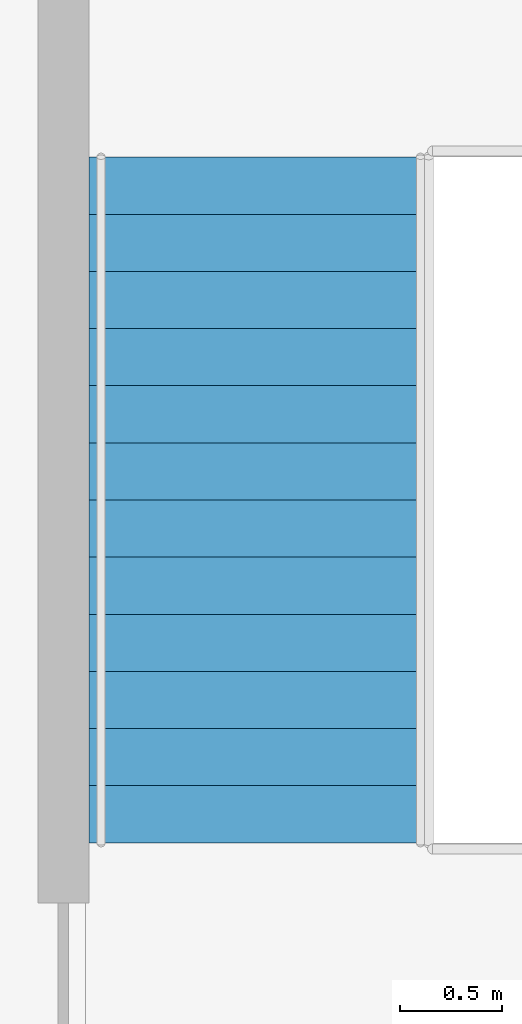
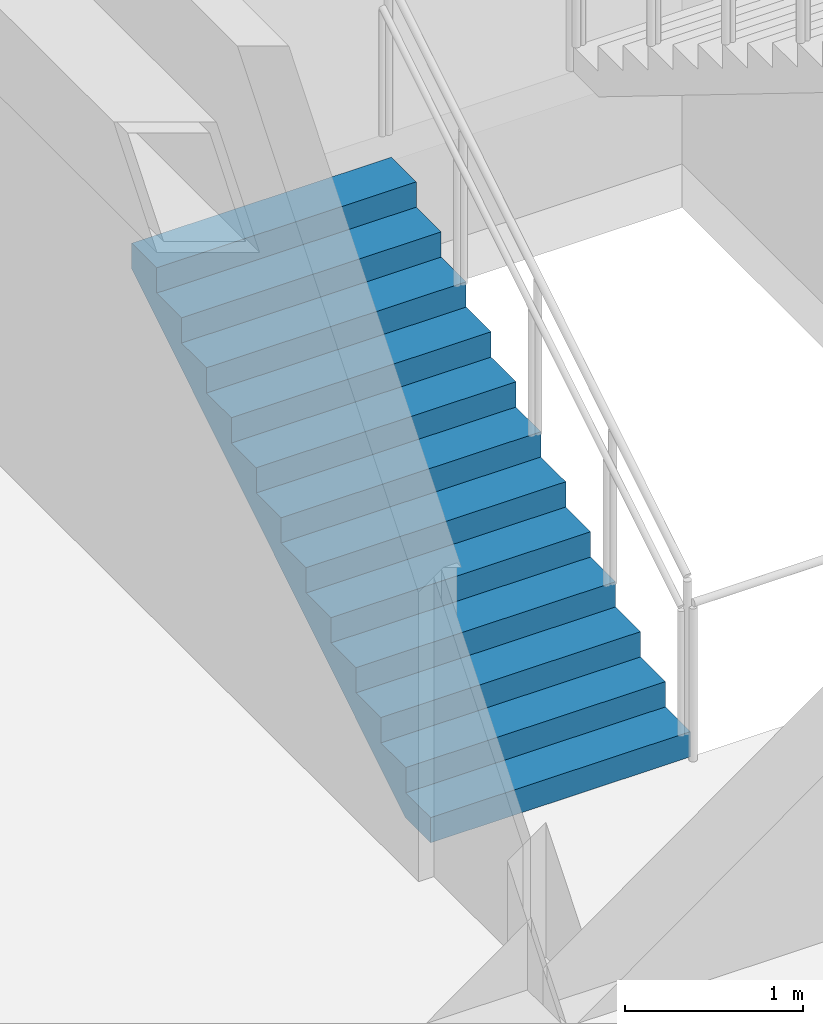
# One storey, part 12 of 16: 1 stair flight, 1 element without a shape of its own.
"""IFC4 building model written with IfcOpenShell, lengths in metres."""

from ifc_helpers import new_model, si_unit, direction, frame, origin, place, context, subcontext, project, spatial, triangles, material, type_object, element, aggregate, save


model = new_model("IFC4")

# Units and contexts
model_context = context("Model", 3, precision=1e-05, world=origin(), true_north=direction((0.0, 1.0)))
body_context = subcontext(model_context, "Body", "Model", "MODEL_VIEW")
ifc_project = project(units=[si_unit("LENGTHUNIT", "METRE"), si_unit("AREAUNIT", "SQUARE_METRE"), si_unit("VOLUMEUNIT", "CUBIC_METRE"), si_unit("PLANEANGLEUNIT", "RADIAN"), si_unit("MASSUNIT", "GRAM", prefix="KILO")], contexts=[model_context])

# Site, building, storey
site_placement = place(None, origin())
site = spatial("IfcSite", under=ifc_project, at=site_placement, CompositionType="ELEMENT")
building_placement = place(site_placement, origin())
building = spatial("IfcBuilding", under=site, at=building_placement, Name="Orbita Commons", CompositionType="ELEMENT")
storey_placement = place(building_placement, frame((0.0, 0.0, -4.5)))
storey = spatial("IfcBuildingStorey", under=building, at=storey_placement, Name="L-01", CompositionType="ELEMENT", Elevation=-4.5)

# Stair, stair flight
ifc_material_1 = material(Name="Precast concrete C40/50", Category="concrete")
stair_type = type_object("IfcStairType", Name="Podium exit stair 2 flights 13 risers 173", PredefinedType="HALF_TURN_STAIR", material=ifc_material_1)
stair_placement = place(storey_placement, origin())
stair = element("IfcStair", 1, at=stair_placement, inside=storey, type_object=stair_type, Name="Podium exit stair PS1 L-01", PredefinedType="HALF_TURN_STAIR")
ifc_material_2 = material(Name="Precast concrete C40/50", Category="concrete")
stair_flight_type = type_object("IfcStairFlightType", Name="Podium stair flight 13 risers 173 x 1685", PredefinedType="STRAIGHT", material=ifc_material_2)
stair_flight_placement = place(storey_placement, frame((7.5673828125, 29.820068359375, 0.0), z_axis=(0.0, 0.0, 1.0), x_axis=(0.0, 1.0, 0.0)))
stair_flight = element("IfcStairFlight", 2, at=stair_flight_placement, type_object=stair_flight_type, Name="PS1 flight 1", NumberOfRisers=13, NumberOfTreads=12, PredefinedType="STRAIGHT", RiserHeight=0.173076923, TreadLength=0.28, context=body_context, shape_type="Tessellation", body=[
    triangles([(0.0, 0.842529, 0.0), (0.0, 0.842529, 0.021635), (0.0, 0.702108, 0.021635), (0.0, 0.702108, 0.0), (0.0, 0.561686, 0.021635), (0.0, 0.561686, 0.0), (0.0, 0.421265, 0.021635), (0.0, 0.421265, 0.0), (0.0, 0.280843, 0.021635), (0.0, 0.280843, 0.0), (0.0, 0.140422, 0.021635), (0.0, 0.140422, 0.0), (0.0, 0.0, 0.021635), (0.0, 0.0, 0.0), (0.0, -0.140422, 0.021635), (0.0, -0.140422, 0.0), (0.0, -0.280843, 0.021635), (0.0, -0.280843, 0.0), (0.0, -0.421265, 0.021635), (0.0, -0.421265, 0.0), (0.0, -0.561686, 0.021635), (0.0, -0.561686, 0.0), (0.0, -0.702108, 0.021635), (0.0, -0.702108, 0.0), (0.0, -0.842529, 0.021635), (0.0, -0.842529, 0.0), (0.0, 0.842529, 0.043269), (0.0, 0.702108, 0.043269), (0.0, 0.561686, 0.043269), (0.0, 0.421265, 0.043269), (0.0, 0.280843, 0.043269), (0.0, 0.140422, 0.043269), (0.0, 0.0, 0.043269), (0.0, -0.140422, 0.043269), (0.0, -0.280843, 0.043269), (0.0, -0.421265, 0.043269), (0.0, -0.561686, 0.043269), (0.0, -0.702108, 0.043269), (0.0, -0.842529, 0.043269), (0.0, 0.842529, 0.064904), (0.0, 0.702108, 0.064904), (0.0, 0.561686, 0.064904), (0.0, 0.421265, 0.064904), (0.0, 0.280843, 0.064904), (0.0, 0.140422, 0.064904), (0.0, 0.0, 0.064904), (0.0, -0.140422, 0.064904), (0.0, -0.280843, 0.064904), (0.0, -0.421265, 0.064904), (0.0, -0.561686, 0.064904), (0.0, -0.702108, 0.064904), (0.0, -0.842529, 0.064904), (0.0, 0.842529, 0.086538), (0.0, 0.702108, 0.086538), (0.0, 0.561686, 0.086538), (0.0, 0.421265, 0.086538), (0.0, 0.280843, 0.086538), (0.0, 0.140422, 0.086538), (0.0, 0.0, 0.086538), (0.0, -0.140422, 0.086538), (0.0, -0.280843, 0.086538), (0.0, -0.421265, 0.086538), (0.0, -0.561686, 0.086538), (0.0, -0.702108, 0.086538), (0.0, -0.842529, 0.086538), (0.0, 0.842529, 0.108173), (0.0, 0.702108, 0.108173), (0.0, 0.561686, 0.108173), (0.0, 0.421265, 0.108173), (0.0, 0.280843, 0.108173), (0.0, 0.140422, 0.108173), (0.0, 0.0, 0.108173), (0.0, -0.140422, 0.108173), (0.0, -0.280843, 0.108173), (0.0, -0.421265, 0.108173), (0.0, -0.561686, 0.108173), (0.0, -0.702108, 0.108173), (0.0, -0.842529, 0.108173), (0.0, 0.842529, 0.129808), (0.0, 0.702108, 0.129808), (0.0, 0.561686, 0.129808), (0.0, 0.421265, 0.129808), (0.0, 0.280843, 0.129808), (0.0, 0.140422, 0.129808), (0.0, 0.0, 0.129808), (0.0, -0.140422, 0.129808), (0.0, -0.280843, 0.129808), (0.0, -0.421265, 0.129808), (0.0, -0.561686, 0.129808), (0.0, -0.702108, 0.129808), (0.0, -0.842529, 0.129808), (0.0, 0.842529, 0.151442), (0.0, 0.702108, 0.151442), (0.0, 0.561686, 0.151442), (0.0, 0.421265, 0.151442), (0.0, 0.280843, 0.151442), (0.0, 0.140422, 0.151442), (0.0, 0.0, 0.151442), (0.0, -0.140422, 0.151442), (0.0, -0.280843, 0.151442), (0.0, -0.421265, 0.151442), (0.0, -0.561686, 0.151442), (0.0, -0.702108, 0.151442), (0.0, -0.842529, 0.151442), (0.0, 0.842529, 0.173077), (0.0, 0.702108, 0.173077), (0.0, 0.561686, 0.173077), (0.0, 0.421265, 0.173077), (0.0, 0.280843, 0.173077), (0.0, 0.140422, 0.173077), (0.0, 0.0, 0.173077), (0.0, -0.140422, 0.173077), (0.0, -0.280843, 0.173077), (0.0, -0.421265, 0.173077), (0.0, -0.561686, 0.173077), (0.0, -0.702108, 0.173077), (0.0, -0.842529, 0.173077), (0.28, 0.842529, 0.173077), (0.28, 0.702108, 0.173077), (0.28, 0.561686, 0.173077), (0.28, 0.421265, 0.173077), (0.28, 0.280843, 0.173077), (0.28, 0.140422, 0.173077), (0.28, 0.0, 0.173077), (0.28, -0.140422, 0.173077), (0.28, -0.280843, 0.173077), (0.28, -0.421265, 0.173077), (0.28, -0.561686, 0.173077), (0.28, -0.702108, 0.173077), (0.28, -0.842529, 0.173077), (0.28, 0.842529, 0.346154), (0.28, 0.702108, 0.346154), (0.28, 0.561686, 0.346154), (0.28, 0.421265, 0.346154), (0.28, 0.280843, 0.346154), (0.28, 0.140422, 0.346154), (0.28, 0.0, 0.346154), (0.28, -0.140422, 0.346154), (0.28, -0.280843, 0.346154), (0.28, -0.421265, 0.346154), (0.28, -0.561686, 0.346154), (0.28, -0.702108, 0.346154), (0.28, -0.842529, 0.346154), (0.56, 0.842529, 0.346154), (0.56, 0.702108, 0.346154), (0.56, 0.561686, 0.346154), (0.56, 0.421265, 0.346154), (0.56, 0.280843, 0.346154), (0.56, 0.140422, 0.346154), (0.56, 0.0, 0.346154), (0.56, -0.140422, 0.346154), (0.56, -0.280843, 0.346154), (0.56, -0.421265, 0.346154), (0.56, -0.561686, 0.346154), (0.56, -0.702108, 0.346154), (0.56, -0.842529, 0.346154), (0.56, 0.842529, 0.519231), (0.56, 0.702108, 0.519231), (0.56, 0.561686, 0.519231), (0.56, 0.421265, 0.519231), (0.56, 0.280843, 0.519231), (0.56, 0.140422, 0.519231), (0.56, 0.0, 0.519231), (0.56, -0.140422, 0.519231), (0.56, -0.280843, 0.519231), (0.56, -0.421265, 0.519231), (0.56, -0.561686, 0.519231), (0.56, -0.702108, 0.519231), (0.56, -0.842529, 0.519231), (0.84, 0.842529, 0.519231), (0.84, 0.702108, 0.519231), (0.84, 0.561686, 0.519231), (0.84, 0.421265, 0.519231), (0.84, 0.280843, 0.519231), (0.84, 0.140422, 0.519231), (0.84, 0.0, 0.519231), (0.84, -0.140422, 0.519231), (0.84, -0.280843, 0.519231), (0.84, -0.421265, 0.519231), (0.84, -0.561686, 0.519231), (0.84, -0.702108, 0.519231), (0.84, -0.842529, 0.519231), (0.84, 0.842529, 0.692308), (0.84, 0.702108, 0.692308), (0.84, 0.561686, 0.692308), (0.84, 0.421265, 0.692308), (0.84, 0.280843, 0.692308), (0.84, 0.140422, 0.692308), (0.84, 0.0, 0.692308), (0.84, -0.140422, 0.692308), (0.84, -0.280843, 0.692308), (0.84, -0.421265, 0.692308), (0.84, -0.561686, 0.692308), (0.84, -0.702108, 0.692308), (0.84, -0.842529, 0.692308), (1.12, 0.842529, 0.692308), (1.12, 0.702108, 0.692308), (1.12, 0.561686, 0.692308), (1.12, 0.421265, 0.692308), (1.12, 0.280843, 0.692308), (1.12, 0.140422, 0.692308), (1.12, 0.0, 0.692308), (1.12, -0.140422, 0.692308), (1.12, -0.280843, 0.692308), (1.12, -0.421265, 0.692308), (1.12, -0.561686, 0.692308), (1.12, -0.702108, 0.692308), (1.12, -0.842529, 0.692308), (1.12, 0.842529, 0.865385), (1.12, 0.702108, 0.865385), (1.12, 0.561686, 0.865385), (1.12, 0.421265, 0.865385), (1.12, 0.280843, 0.865385), (1.12, 0.140422, 0.865385), (1.12, 0.0, 0.865385), (1.12, -0.140422, 0.865385), (1.12, -0.280843, 0.865385), (1.12, -0.421265, 0.865385), (1.12, -0.561686, 0.865385), (1.12, -0.702108, 0.865385), (1.12, -0.842529, 0.865385), (1.4, 0.842529, 0.865385), (1.4, 0.702108, 0.865385), (1.4, 0.561686, 0.865385), (1.4, 0.421265, 0.865385), (1.4, 0.280843, 0.865385), (1.4, 0.140422, 0.865385), (1.4, 0.0, 0.865385), (1.4, -0.140422, 0.865385), (1.4, -0.280843, 0.865385), (1.4, -0.421265, 0.865385), (1.4, -0.561686, 0.865385), (1.4, -0.702108, 0.865385), (1.4, -0.842529, 0.865385), (1.4, 0.842529, 1.038462), (1.4, 0.702108, 1.038462), (1.4, 0.561686, 1.038462), (1.4, 0.421265, 1.038462), (1.4, 0.280843, 1.038462), (1.4, 0.140422, 1.038462), (1.4, 0.0, 1.038462), (1.4, -0.140422, 1.038462), (1.4, -0.280843, 1.038462), (1.4, -0.421265, 1.038462), (1.4, -0.561686, 1.038462), (1.4, -0.702108, 1.038462), (1.4, -0.842529, 1.038462), (1.68, 0.842529, 1.038462), (1.68, 0.702108, 1.038462), (1.68, 0.561686, 1.038462), (1.68, 0.421265, 1.038462), (1.68, 0.280843, 1.038462), (1.68, 0.140422, 1.038462), (1.68, 0.0, 1.038462), (1.68, -0.140422, 1.038462), (1.68, -0.280843, 1.038462), (1.68, -0.421265, 1.038462), (1.68, -0.561686, 1.038462), (1.68, -0.702108, 1.038462), (1.68, -0.842529, 1.038462), (1.68, 0.842529, 1.211538), (1.68, 0.702108, 1.211538), (1.68, 0.561686, 1.211538), (1.68, 0.421265, 1.211538), (1.68, 0.280843, 1.211538), (1.68, 0.140422, 1.211538), (1.68, 0.0, 1.211538), (1.68, -0.140422, 1.211538), (1.68, -0.280843, 1.211538), (1.68, -0.421265, 1.211538), (1.68, -0.561686, 1.211538), (1.68, -0.702108, 1.211538), (1.68, -0.842529, 1.211538), (1.96, 0.842529, 1.211538), (1.96, 0.702108, 1.211538), (1.96, 0.561686, 1.211538), (1.96, 0.421265, 1.211538), (1.96, 0.280843, 1.211538), (1.96, 0.140422, 1.211538), (1.96, 0.0, 1.211538), (1.96, -0.140422, 1.211538), (1.96, -0.280843, 1.211538), (1.96, -0.421265, 1.211538), (1.96, -0.561686, 1.211538), (1.96, -0.702108, 1.211538), (1.96, -0.842529, 1.211538), (1.96, 0.842529, 1.384615), (1.96, 0.702108, 1.384615), (1.96, 0.561686, 1.384615), (1.96, 0.421265, 1.384615), (1.96, 0.280843, 1.384615), (1.96, 0.140422, 1.384615), (1.96, 0.0, 1.384615), (1.96, -0.140422, 1.384615), (1.96, -0.280843, 1.384615), (1.96, -0.421265, 1.384615), (1.96, -0.561686, 1.384615), (1.96, -0.702108, 1.384615), (1.96, -0.842529, 1.384615), (2.24, 0.842529, 1.384615), (2.24, 0.702108, 1.384615), (2.24, 0.561686, 1.384615), (2.24, 0.421265, 1.384615), (2.24, 0.280843, 1.384615), (2.24, 0.140422, 1.384615), (2.24, 0.0, 1.384615), (2.24, -0.140422, 1.384615), (2.24, -0.280843, 1.384615), (2.24, -0.421265, 1.384615), (2.24, -0.561686, 1.384615), (2.24, -0.702108, 1.384615), (2.24, -0.842529, 1.384615), (2.24, 0.842529, 1.557692), (2.24, 0.702108, 1.557692), (2.24, 0.561686, 1.557692), (2.24, 0.421265, 1.557692), (2.24, 0.280843, 1.557692), (2.24, 0.140422, 1.557692), (2.24, 0.0, 1.557692), (2.24, -0.140422, 1.557692), (2.24, -0.280843, 1.557692), (2.24, -0.421265, 1.557692), (2.24, -0.561686, 1.557692), (2.24, -0.702108, 1.557692), (2.24, -0.842529, 1.557692), (2.52, 0.842529, 1.557692), (2.52, 0.702108, 1.557692), (2.52, 0.561686, 1.557692), (2.52, 0.421265, 1.557692), (2.52, 0.280843, 1.557692), (2.52, 0.140422, 1.557692), (2.52, 0.0, 1.557692), (2.52, -0.140422, 1.557692), (2.52, -0.280843, 1.557692), (2.52, -0.421265, 1.557692), (2.52, -0.561686, 1.557692), (2.52, -0.702108, 1.557692), (2.52, -0.842529, 1.557692), (2.52, 0.842529, 1.730769), (2.52, 0.702108, 1.730769), (2.52, 0.561686, 1.730769), (2.52, 0.421265, 1.730769), (2.52, 0.280843, 1.730769), (2.52, 0.140422, 1.730769), (2.52, 0.0, 1.730769), (2.52, -0.140422, 1.730769), (2.52, -0.280843, 1.730769), (2.52, -0.421265, 1.730769), (2.52, -0.561686, 1.730769), (2.52, -0.702108, 1.730769), (2.52, -0.842529, 1.730769), (2.8, 0.842529, 1.730769), (2.8, 0.702108, 1.730769), (2.8, 0.561686, 1.730769), (2.8, 0.421265, 1.730769), (2.8, 0.280843, 1.730769), (2.8, 0.140422, 1.730769), (2.8, 0.0, 1.730769), (2.8, -0.140422, 1.730769), (2.8, -0.280843, 1.730769), (2.8, -0.421265, 1.730769), (2.8, -0.561686, 1.730769), (2.8, -0.702108, 1.730769), (2.8, -0.842529, 1.730769), (2.8, 0.842529, 1.903846), (2.8, 0.702108, 1.903846), (2.8, 0.561686, 1.903846), (2.8, 0.421265, 1.903846), (2.8, 0.280843, 1.903846), (2.8, 0.140422, 1.903846), (2.8, 0.0, 1.903846), (2.8, -0.140422, 1.903846), (2.8, -0.280843, 1.903846), (2.8, -0.421265, 1.903846), (2.8, -0.561686, 1.903846), (2.8, -0.702108, 1.903846), (2.8, -0.842529, 1.903846), (3.08, 0.842529, 1.903846), (3.08, 0.702108, 1.903846), (3.08, 0.561686, 1.903846), (3.08, 0.421265, 1.903846), (3.08, 0.280843, 1.903846), (3.08, 0.140422, 1.903846), (3.08, 0.0, 1.903846), (3.08, -0.140422, 1.903846), (3.08, -0.280843, 1.903846), (3.08, -0.421265, 1.903846), (3.08, -0.561686, 1.903846), (3.08, -0.702108, 1.903846), (3.08, -0.842529, 1.903846), (3.08, 0.842529, 2.076923), (3.08, 0.702108, 2.076923), (3.08, 0.561686, 2.076923), (3.08, 0.421265, 2.076923), (3.08, 0.280843, 2.076923), (3.08, 0.140422, 2.076923), (3.08, 0.0, 2.076923), (3.08, -0.140422, 2.076923), (3.08, -0.280843, 2.076923), (3.08, -0.421265, 2.076923), (3.08, -0.561686, 2.076923), (3.08, -0.702108, 2.076923), (3.08, -0.842529, 2.076923), (3.36, 0.842529, 2.076923), (3.36, 0.702108, 2.076923), (3.36, 0.561686, 2.076923), (3.36, 0.421265, 2.076923), (3.36, 0.280843, 2.076923), (3.36, 0.140422, 2.076923), (3.36, 0.0, 2.076923), (3.36, -0.140422, 2.076923), (3.36, -0.280843, 2.076923), (3.36, -0.421265, 2.076923), (3.36, -0.561686, 2.076923), (3.36, -0.702108, 2.076923), (3.36, -0.842529, 2.076923), (3.36, 0.842529, 2.054895), (3.36, 0.702108, 2.054895), (3.36, 0.561686, 2.054895), (3.36, 0.421265, 2.054895), (3.36, 0.280843, 2.054895), (3.36, 0.140422, 2.054895), (3.36, 0.0, 2.054895), (3.36, -0.140422, 2.054895), (3.36, -0.280843, 2.054895), (3.36, -0.421265, 2.054895), (3.36, -0.561686, 2.054895), (3.36, -0.702108, 2.054895), (3.36, -0.842529, 2.054895), (3.36, 0.842529, 2.032866), (3.36, 0.702108, 2.032866), (3.36, 0.561686, 2.032866), (3.36, 0.421265, 2.032866), (3.36, 0.280843, 2.032866), (3.36, 0.140422, 2.032866), (3.36, 0.0, 2.032866), (3.36, -0.140422, 2.032866), (3.36, -0.280843, 2.032866), (3.36, -0.421265, 2.032866), (3.36, -0.561686, 2.032866), (3.36, -0.702108, 2.032866), (3.36, -0.842529, 2.032866), (3.36, 0.842529, 2.010837), (3.36, 0.702108, 2.010837), (3.36, 0.561686, 2.010837), (3.36, 0.421265, 2.010837), (3.36, 0.280843, 2.010837), (3.36, 0.140422, 2.010837), (3.36, 0.0, 2.010837), (3.36, -0.140422, 2.010837), (3.36, -0.280843, 2.010837), (3.36, -0.421265, 2.010837), (3.36, -0.561686, 2.010837), (3.36, -0.702108, 2.010837), (3.36, -0.842529, 2.010837), (3.36, 0.842529, 1.988809), (3.36, 0.702108, 1.988809), (3.36, 0.561686, 1.988809), (3.36, 0.421265, 1.988809), (3.36, 0.280843, 1.988809), (3.36, 0.140422, 1.988809), (3.36, 0.0, 1.988809), (3.36, -0.140422, 1.988809), (3.36, -0.280843, 1.988809), (3.36, -0.421265, 1.988809), (3.36, -0.561686, 1.988809), (3.36, -0.702108, 1.988809), (3.36, -0.842529, 1.988809), (3.36, 0.842529, 1.96678), (3.36, 0.702108, 1.96678), (3.36, 0.561686, 1.96678), (3.36, 0.421265, 1.96678), (3.36, 0.280843, 1.96678), (3.36, 0.140422, 1.96678), (3.36, 0.0, 1.96678), (3.36, -0.140422, 1.96678), (3.36, -0.280843, 1.96678), (3.36, -0.421265, 1.96678), (3.36, -0.561686, 1.96678), (3.36, -0.702108, 1.96678), (3.36, -0.842529, 1.96678), (3.36, 0.842529, 1.944752), (3.36, 0.702108, 1.944752), (3.36, 0.561686, 1.944752), (3.36, 0.421265, 1.944752), (3.36, 0.280843, 1.944752), (3.36, 0.140422, 1.944752), (3.36, 0.0, 1.944752), (3.36, -0.140422, 1.944752), (3.36, -0.280843, 1.944752), (3.36, -0.421265, 1.944752), (3.36, -0.561686, 1.944752), (3.36, -0.702108, 1.944752), (3.36, -0.842529, 1.944752), (3.36, 0.842529, 1.922723), (3.36, 0.702108, 1.922723), (3.36, 0.561686, 1.922723), (3.36, 0.421265, 1.922723), (3.36, 0.280843, 1.922723), (3.36, 0.140422, 1.922723), (3.36, 0.0, 1.922723), (3.36, -0.140422, 1.922723), (3.36, -0.280843, 1.922723), (3.36, -0.421265, 1.922723), (3.36, -0.561686, 1.922723), (3.36, -0.702108, 1.922723), (3.36, -0.842529, 1.922723), (3.36, 0.842529, 1.900695), (3.36, 0.702108, 1.900695), (3.36, 0.561686, 1.900695), (3.36, 0.421265, 1.900695), (3.36, 0.280843, 1.900695), (3.36, 0.140422, 1.900695), (3.36, 0.0, 1.900695), (3.36, -0.140422, 1.900695), (3.36, -0.280843, 1.900695), (3.36, -0.421265, 1.900695), (3.36, -0.561686, 1.900695), (3.36, -0.702108, 1.900695), (3.36, -0.842529, 1.900695), (0.285099, 0.842529, 0.0), (0.285099, 0.702108, 0.0), (0.285099, 0.561686, 0.0), (0.285099, 0.421265, 0.0), (0.285099, 0.280843, 0.0), (0.285099, 0.140422, 0.0), (0.285099, 0.0, 0.0), (0.285099, -0.140422, 0.0), (0.285099, -0.280843, 0.0), (0.285099, -0.421265, 0.0), (0.285099, -0.561686, 0.0), (0.285099, -0.702108, 0.0), (0.285099, -0.842529, 0.0)], [[3, 2, 1], [4, 3, 1], [5, 3, 4], [6, 5, 4], [7, 5, 6], [8, 7, 6], [9, 7, 8], [10, 9, 8], [11, 9, 10], [12, 11, 10], [13, 11, 12], [14, 13, 12], [15, 13, 14], [16, 15, 14], [17, 15, 16], [18, 17, 16], [19, 17, 18], [20, 19, 18], [21, 19, 20], [22, 21, 20], [23, 21, 22], [24, 23, 22], [25, 23, 24], [26, 25, 24], [28, 27, 2], [3, 28, 2], [29, 28, 3], [5, 29, 3], [30, 29, 5], [7, 30, 5], [31, 30, 7], [9, 31, 7], [32, 31, 9], [11, 32, 9], [33, 32, 11], [13, 33, 11], [34, 33, 13], [15, 34, 13], [35, 34, 15], [17, 35, 15], [36, 35, 17], [19, 36, 17], [37, 36, 19], [21, 37, 19], [38, 37, 21], [23, 38, 21], [39, 38, 23], [25, 39, 23], [41, 40, 27], [28, 41, 27], [42, 41, 28], [29, 42, 28], [43, 42, 29], [30, 43, 29], [44, 43, 30], [31, 44, 30], [45, 44, 31], [32, 45, 31], [46, 45, 32], [33, 46, 32], [47, 46, 33], [34, 47, 33], [48, 47, 34], [35, 48, 34], [49, 48, 35], [36, 49, 35], [50, 49, 36], [37, 50, 36], [51, 50, 37], [38, 51, 37], [52, 51, 38], [39, 52, 38], [54, 53, 40], [41, 54, 40], [55, 54, 41], [42, 55, 41], [56, 55, 42], [43, 56, 42], [57, 56, 43], [44, 57, 43], [58, 57, 44], [45, 58, 44], [59, 58, 45], [46, 59, 45], [60, 59, 46], [47, 60, 46], [61, 60, 47], [48, 61, 47], [62, 61, 48], [49, 62, 48], [63, 62, 49], [50, 63, 49], [64, 63, 50], [51, 64, 50], [65, 64, 51], [52, 65, 51], [67, 66, 53], [54, 67, 53], [68, 67, 54], [55, 68, 54], [69, 68, 55], [56, 69, 55], [70, 69, 56], [57, 70, 56], [71, 70, 57], [58, 71, 57], [72, 71, 58], [59, 72, 58], [73, 72, 59], [60, 73, 59], [74, 73, 60], [61, 74, 60], [75, 74, 61], [62, 75, 61], [76, 75, 62], [63, 76, 62], [77, 76, 63], [64, 77, 63], [78, 77, 64], [65, 78, 64], [80, 79, 66], [67, 80, 66], [81, 80, 67], [68, 81, 67], [82, 81, 68], [69, 82, 68], [83, 82, 69], [70, 83, 69], [84, 83, 70], [71, 84, 70], [85, 84, 71], [72, 85, 71], [86, 85, 72], [73, 86, 72], [87, 86, 73], [74, 87, 73], [88, 87, 74], [75, 88, 74], [89, 88, 75], [76, 89, 75], [90, 89, 76], [77, 90, 76], [91, 90, 77], [78, 91, 77], [93, 92, 79], [80, 93, 79], [94, 93, 80], [81, 94, 80], [95, 94, 81], [82, 95, 81], [96, 95, 82], [83, 96, 82], [97, 96, 83], [84, 97, 83], [98, 97, 84], [85, 98, 84], [99, 98, 85], [86, 99, 85], [100, 99, 86], [87, 100, 86], [101, 100, 87], [88, 101, 87], [102, 101, 88], [89, 102, 88], [103, 102, 89], [90, 103, 89], [104, 103, 90], [91, 104, 90], [106, 105, 92], [93, 106, 92], [107, 106, 93], [94, 107, 93], [108, 107, 94], [95, 108, 94], [109, 108, 95], [96, 109, 95], [110, 109, 96], [97, 110, 96], [111, 110, 97], [98, 111, 97], [112, 111, 98], [99, 112, 98], [113, 112, 99], [100, 113, 99], [114, 113, 100], [101, 114, 100], [115, 114, 101], [102, 115, 101], [116, 115, 102], [103, 116, 102], [117, 116, 103], [104, 117, 103], [119, 118, 105], [106, 119, 105], [120, 119, 106], [107, 120, 106], [121, 120, 107], [108, 121, 107], [122, 121, 108], [109, 122, 108], [123, 122, 109], [110, 123, 109], [124, 123, 110], [111, 124, 110], [125, 124, 111], [112, 125, 111], [126, 125, 112], [113, 126, 112], [127, 126, 113], [114, 127, 113], [128, 127, 114], [115, 128, 114], [129, 128, 115], [116, 129, 115], [130, 129, 116], [117, 130, 116], [132, 131, 118], [119, 132, 118], [133, 132, 119], [120, 133, 119], [134, 133, 120], [121, 134, 120], [135, 134, 121], [122, 135, 121], [136, 135, 122], [123, 136, 122], [137, 136, 123], [124, 137, 123], [138, 137, 124], [125, 138, 124], [139, 138, 125], [126, 139, 125], [140, 139, 126], [127, 140, 126], [141, 140, 127], [128, 141, 127], [142, 141, 128], [129, 142, 128], [143, 142, 129], [130, 143, 129], [145, 144, 131], [132, 145, 131], [146, 145, 132], [133, 146, 132], [147, 146, 133], [134, 147, 133], [148, 147, 134], [135, 148, 134], [149, 148, 135], [136, 149, 135], [150, 149, 136], [137, 150, 136], [151, 150, 137], [138, 151, 137], [152, 151, 138], [139, 152, 138], [153, 152, 139], [140, 153, 139], [154, 153, 140], [141, 154, 140], [155, 154, 141], [142, 155, 141], [156, 155, 142], [143, 156, 142], [158, 157, 144], [145, 158, 144], [159, 158, 145], [146, 159, 145], [160, 159, 146], [147, 160, 146], [161, 160, 147], [148, 161, 147], [162, 161, 148], [149, 162, 148], [163, 162, 149], [150, 163, 149], [164, 163, 150], [151, 164, 150], [165, 164, 151], [152, 165, 151], [166, 165, 152], [153, 166, 152], [167, 166, 153], [154, 167, 153], [168, 167, 154], [155, 168, 154], [169, 168, 155], [156, 169, 155], [171, 170, 157], [158, 171, 157], [172, 171, 158], [159, 172, 158], [173, 172, 159], [160, 173, 159], [174, 173, 160], [161, 174, 160], [175, 174, 161], [162, 175, 161], [176, 175, 162], [163, 176, 162], [177, 176, 163], [164, 177, 163], [178, 177, 164], [165, 178, 164], [179, 178, 165], [166, 179, 165], [180, 179, 166], [167, 180, 166], [181, 180, 167], [168, 181, 167], [182, 181, 168], [169, 182, 168], [184, 183, 170], [171, 184, 170], [185, 184, 171], [172, 185, 171], [186, 185, 172], [173, 186, 172], [187, 186, 173], [174, 187, 173], [188, 187, 174], [175, 188, 174], [189, 188, 175], [176, 189, 175], [190, 189, 176], [177, 190, 176], [191, 190, 177], [178, 191, 177], [192, 191, 178], [179, 192, 178], [193, 192, 179], [180, 193, 179], [194, 193, 180], [181, 194, 180], [195, 194, 181], [182, 195, 181], [197, 196, 183], [184, 197, 183], [198, 197, 184], [185, 198, 184], [199, 198, 185], [186, 199, 185], [200, 199, 186], [187, 200, 186], [201, 200, 187], [188, 201, 187], [202, 201, 188], [189, 202, 188], [203, 202, 189], [190, 203, 189], [204, 203, 190], [191, 204, 190], [205, 204, 191], [192, 205, 191], [206, 205, 192], [193, 206, 192], [207, 206, 193], [194, 207, 193], [208, 207, 194], [195, 208, 194], [210, 209, 196], [197, 210, 196], [211, 210, 197], [198, 211, 197], [212, 211, 198], [199, 212, 198], [213, 212, 199], [200, 213, 199], [214, 213, 200], [201, 214, 200], [215, 214, 201], [202, 215, 201], [216, 215, 202], [203, 216, 202], [217, 216, 203], [204, 217, 203], [218, 217, 204], [205, 218, 204], [219, 218, 205], [206, 219, 205], [220, 219, 206], [207, 220, 206], [221, 220, 207], [208, 221, 207], [223, 222, 209], [210, 223, 209], [224, 223, 210], [211, 224, 210], [225, 224, 211], [212, 225, 211], [226, 225, 212], [213, 226, 212], [227, 226, 213], [214, 227, 213], [228, 227, 214], [215, 228, 214], [229, 228, 215], [216, 229, 215], [230, 229, 216], [217, 230, 216], [231, 230, 217], [218, 231, 217], [232, 231, 218], [219, 232, 218], [233, 232, 219], [220, 233, 219], [234, 233, 220], [221, 234, 220], [236, 235, 222], [223, 236, 222], [237, 236, 223], [224, 237, 223], [238, 237, 224], [225, 238, 224], [239, 238, 225], [226, 239, 225], [240, 239, 226], [227, 240, 226], [241, 240, 227], [228, 241, 227], [242, 241, 228], [229, 242, 228], [243, 242, 229], [230, 243, 229], [244, 243, 230], [231, 244, 230], [245, 244, 231], [232, 245, 231], [246, 245, 232], [233, 246, 232], [247, 246, 233], [234, 247, 233], [249, 248, 235], [236, 249, 235], [250, 249, 236], [237, 250, 236], [251, 250, 237], [238, 251, 237], [252, 251, 238], [239, 252, 238], [253, 252, 239], [240, 253, 239], [254, 253, 240], [241, 254, 240], [255, 254, 241], [242, 255, 241], [256, 255, 242], [243, 256, 242], [257, 256, 243], [244, 257, 243], [258, 257, 244], [245, 258, 244], [259, 258, 245], [246, 259, 245], [260, 259, 246], [247, 260, 246], [262, 261, 248], [249, 262, 248], [263, 262, 249], [250, 263, 249], [264, 263, 250], [251, 264, 250], [265, 264, 251], [252, 265, 251], [266, 265, 252], [253, 266, 252], [267, 266, 253], [254, 267, 253], [268, 267, 254], [255, 268, 254], [269, 268, 255], [256, 269, 255], [270, 269, 256], [257, 270, 256], [271, 270, 257], [258, 271, 257], [272, 271, 258], [259, 272, 258], [273, 272, 259], [260, 273, 259], [275, 274, 261], [262, 275, 261], [276, 275, 262], [263, 276, 262], [277, 276, 263], [264, 277, 263], [278, 277, 264], [265, 278, 264], [279, 278, 265], [266, 279, 265], [280, 279, 266], [267, 280, 266], [281, 280, 267], [268, 281, 267], [282, 281, 268], [269, 282, 268], [283, 282, 269], [270, 283, 269], [284, 283, 270], [271, 284, 270], [285, 284, 271], [272, 285, 271], [286, 285, 272], [273, 286, 272], [288, 287, 274], [275, 288, 274], [289, 288, 275], [276, 289, 275], [290, 289, 276], [277, 290, 276], [291, 290, 277], [278, 291, 277], [292, 291, 278], [279, 292, 278], [293, 292, 279], [280, 293, 279], [294, 293, 280], [281, 294, 280], [295, 294, 281], [282, 295, 281], [296, 295, 282], [283, 296, 282], [297, 296, 283], [284, 297, 283], [298, 297, 284], [285, 298, 284], [299, 298, 285], [286, 299, 285], [301, 300, 287], [288, 301, 287], [302, 301, 288], [289, 302, 288], [303, 302, 289], [290, 303, 289], [304, 303, 290], [291, 304, 290], [305, 304, 291], [292, 305, 291], [306, 305, 292], [293, 306, 292], [307, 306, 293], [294, 307, 293], [308, 307, 294], [295, 308, 294], [309, 308, 295], [296, 309, 295], [310, 309, 296], [297, 310, 296], [311, 310, 297], [298, 311, 297], [312, 311, 298], [299, 312, 298], [314, 313, 300], [301, 314, 300], [315, 314, 301], [302, 315, 301], [316, 315, 302], [303, 316, 302], [317, 316, 303], [304, 317, 303], [318, 317, 304], [305, 318, 304], [319, 318, 305], [306, 319, 305], [320, 319, 306], [307, 320, 306], [321, 320, 307], [308, 321, 307], [322, 321, 308], [309, 322, 308], [323, 322, 309], [310, 323, 309], [324, 323, 310], [311, 324, 310], [325, 324, 311], [312, 325, 311], [327, 326, 313], [314, 327, 313], [328, 327, 314], [315, 328, 314], [329, 328, 315], [316, 329, 315], [330, 329, 316], [317, 330, 316], [331, 330, 317], [318, 331, 317], [332, 331, 318], [319, 332, 318], [333, 332, 319], [320, 333, 319], [334, 333, 320], [321, 334, 320], [335, 334, 321], [322, 335, 321], [336, 335, 322], [323, 336, 322], [337, 336, 323], [324, 337, 323], [338, 337, 324], [325, 338, 324], [340, 339, 326], [327, 340, 326], [341, 340, 327], [328, 341, 327], [342, 341, 328], [329, 342, 328], [343, 342, 329], [330, 343, 329], [344, 343, 330], [331, 344, 330], [345, 344, 331], [332, 345, 331], [346, 345, 332], [333, 346, 332], [347, 346, 333], [334, 347, 333], [348, 347, 334], [335, 348, 334], [349, 348, 335], [336, 349, 335], [350, 349, 336], [337, 350, 336], [351, 350, 337], [338, 351, 337], [353, 352, 339], [340, 353, 339], [354, 353, 340], [341, 354, 340], [355, 354, 341], [342, 355, 341], [356, 355, 342], [343, 356, 342], [357, 356, 343], [344, 357, 343], [358, 357, 344], [345, 358, 344], [359, 358, 345], [346, 359, 345], [360, 359, 346], [347, 360, 346], [361, 360, 347], [348, 361, 347], [362, 361, 348], [349, 362, 348], [363, 362, 349], [350, 363, 349], [364, 363, 350], [351, 364, 350], [366, 365, 352], [353, 366, 352], [367, 366, 353], [354, 367, 353], [368, 367, 354], [355, 368, 354], [369, 368, 355], [356, 369, 355], [370, 369, 356], [357, 370, 356], [371, 370, 357], [358, 371, 357], [372, 371, 358], [359, 372, 358], [373, 372, 359], [360, 373, 359], [374, 373, 360], [361, 374, 360], [375, 374, 361], [362, 375, 361], [376, 375, 362], [363, 376, 362], [377, 376, 363], [364, 377, 363], [379, 378, 365], [366, 379, 365], [380, 379, 366], [367, 380, 366], [381, 380, 367], [368, 381, 367], [382, 381, 368], [369, 382, 368], [383, 382, 369], [370, 383, 369], [384, 383, 370], [371, 384, 370], [385, 384, 371], [372, 385, 371], [386, 385, 372], [373, 386, 372], [387, 386, 373], [374, 387, 373], [388, 387, 374], [375, 388, 374], [389, 388, 375], [376, 389, 375], [390, 389, 376], [377, 390, 376], [392, 391, 378], [379, 392, 378], [393, 392, 379], [380, 393, 379], [394, 393, 380], [381, 394, 380], [395, 394, 381], [382, 395, 381], [396, 395, 382], [383, 396, 382], [397, 396, 383], [384, 397, 383], [398, 397, 384], [385, 398, 384], [399, 398, 385], [386, 399, 385], [400, 399, 386], [387, 400, 386], [401, 400, 387], [388, 401, 387], [402, 401, 388], [389, 402, 388], [403, 402, 389], [390, 403, 389], [405, 404, 391], [392, 405, 391], [406, 405, 392], [393, 406, 392], [407, 406, 393], [394, 407, 393], [408, 407, 394], [395, 408, 394], [409, 408, 395], [396, 409, 395], [410, 409, 396], [397, 410, 396], [411, 410, 397], [398, 411, 397], [412, 411, 398], [399, 412, 398], [413, 412, 399], [400, 413, 399], [414, 413, 400], [401, 414, 400], [415, 414, 401], [402, 415, 401], [416, 415, 402], [403, 416, 402], [418, 417, 404], [405, 418, 404], [419, 418, 405], [406, 419, 405], [420, 419, 406], [407, 420, 406], [421, 420, 407], [408, 421, 407], [422, 421, 408], [409, 422, 408], [423, 422, 409], [410, 423, 409], [424, 423, 410], [411, 424, 410], [425, 424, 411], [412, 425, 411], [426, 425, 412], [413, 426, 412], [427, 426, 413], [414, 427, 413], [428, 427, 414], [415, 428, 414], [429, 428, 415], [416, 429, 415], [431, 430, 417], [418, 431, 417], [432, 431, 418], [419, 432, 418], [433, 432, 419], [420, 433, 419], [434, 433, 420], [421, 434, 420], [435, 434, 421], [422, 435, 421], [436, 435, 422], [423, 436, 422], [437, 436, 423], [424, 437, 423], [438, 437, 424], [425, 438, 424], [439, 438, 425], [426, 439, 425], [440, 439, 426], [427, 440, 426], [441, 440, 427], [428, 441, 427], [442, 441, 428], [429, 442, 428], [444, 443, 430], [431, 444, 430], [445, 444, 431], [432, 445, 431], [446, 445, 432], [433, 446, 432], [447, 446, 433], [434, 447, 433], [448, 447, 434], [435, 448, 434], [449, 448, 435], [436, 449, 435], [450, 449, 436], [437, 450, 436], [451, 450, 437], [438, 451, 437], [452, 451, 438], [439, 452, 438], [453, 452, 439], [440, 453, 439], [454, 453, 440], [441, 454, 440], [455, 454, 441], [442, 455, 441], [457, 456, 443], [444, 457, 443], [458, 457, 444], [445, 458, 444], [459, 458, 445], [446, 459, 445], [460, 459, 446], [447, 460, 446], [461, 460, 447], [448, 461, 447], [462, 461, 448], [449, 462, 448], [463, 462, 449], [450, 463, 449], [464, 463, 450], [451, 464, 450], [465, 464, 451], [452, 465, 451], [466, 465, 452], [453, 466, 452], [467, 466, 453], [454, 467, 453], [468, 467, 454], [455, 468, 454], [470, 469, 456], [457, 470, 456], [471, 470, 457], [458, 471, 457], [472, 471, 458], [459, 472, 458], [473, 472, 459], [460, 473, 459], [474, 473, 460], [461, 474, 460], [475, 474, 461], [462, 475, 461], [476, 475, 462], [463, 476, 462], [477, 476, 463], [464, 477, 463], [478, 477, 464], [465, 478, 464], [479, 478, 465], [466, 479, 465], [480, 479, 466], [467, 480, 466], [481, 480, 467], [468, 481, 467], [483, 482, 469], [470, 483, 469], [484, 483, 470], [471, 484, 470], [485, 484, 471], [472, 485, 471], [486, 485, 472], [473, 486, 472], [487, 486, 473], [474, 487, 473], [488, 487, 474], [475, 488, 474], [489, 488, 475], [476, 489, 475], [490, 489, 476], [477, 490, 476], [491, 490, 477], [478, 491, 477], [492, 491, 478], [479, 492, 478], [493, 492, 479], [480, 493, 479], [494, 493, 480], [481, 494, 480], [496, 495, 482], [483, 496, 482], [497, 496, 483], [484, 497, 483], [498, 497, 484], [485, 498, 484], [499, 498, 485], [486, 499, 485], [500, 499, 486], [487, 500, 486], [501, 500, 487], [488, 501, 487], [502, 501, 488], [489, 502, 488], [503, 502, 489], [490, 503, 489], [504, 503, 490], [491, 504, 490], [505, 504, 491], [492, 505, 491], [506, 505, 492], [493, 506, 492], [507, 506, 493], [494, 507, 493], [509, 508, 495], [496, 509, 495], [510, 509, 496], [497, 510, 496], [511, 510, 497], [498, 511, 497], [512, 511, 498], [499, 512, 498], [513, 512, 499], [500, 513, 499], [514, 513, 500], [501, 514, 500], [515, 514, 501], [502, 515, 501], [516, 515, 502], [503, 516, 502], [517, 516, 503], [504, 517, 503], [518, 517, 504], [505, 518, 504], [519, 518, 505], [506, 519, 505], [520, 519, 506], [507, 520, 506], [522, 521, 508], [509, 522, 508], [523, 522, 509], [510, 523, 509], [524, 523, 510], [511, 524, 510], [525, 524, 511], [512, 525, 511], [526, 525, 512], [513, 526, 512], [527, 526, 513], [514, 527, 513], [528, 527, 514], [515, 528, 514], [529, 528, 515], [516, 529, 515], [530, 529, 516], [517, 530, 516], [531, 530, 517], [518, 531, 517], [532, 531, 518], [519, 532, 518], [533, 532, 519], [520, 533, 519], [4, 1, 521], [522, 4, 521], [6, 4, 522], [523, 6, 522], [8, 6, 523], [524, 8, 523], [10, 8, 524], [525, 10, 524], [12, 10, 525], [526, 12, 525], [14, 12, 526], [527, 14, 526], [16, 14, 527], [528, 16, 527], [18, 16, 528], [529, 18, 528], [20, 18, 529], [530, 20, 529], [22, 20, 530], [531, 22, 530], [24, 22, 531], [532, 24, 531], [26, 24, 532], [533, 26, 532], [508, 521, 1], [26, 533, 520], [495, 508, 1], [26, 520, 507], [482, 495, 1], [26, 507, 494], [469, 482, 1], [26, 494, 481], [456, 469, 1], [26, 481, 468], [443, 456, 1], [26, 468, 455], [430, 443, 1], [26, 455, 442], [417, 430, 1], [26, 442, 429], [391, 404, 417], [429, 416, 403], [378, 391, 417], [429, 403, 390], [352, 365, 378], [390, 377, 364], [352, 378, 417], [429, 390, 364], [326, 339, 352], [364, 351, 338], [326, 352, 417], [429, 364, 338], [300, 313, 326], [338, 325, 312], [300, 326, 417], [429, 338, 312], [274, 287, 300], [312, 299, 286], [274, 300, 417], [429, 312, 286], [248, 261, 274], [286, 273, 260], [248, 274, 417], [429, 286, 260], [222, 235, 248], [260, 247, 234], [222, 248, 417], [429, 260, 234], [196, 209, 222], [234, 221, 208], [196, 222, 417], [429, 234, 208], [170, 183, 196], [208, 195, 182], [170, 196, 417], [429, 208, 182], [144, 157, 170], [182, 169, 156], [144, 170, 417], [429, 182, 156], [118, 131, 144], [156, 143, 130], [118, 144, 417], [429, 156, 130], [118, 417, 1], [26, 429, 130], [92, 105, 118], [130, 117, 104], [79, 92, 118], [130, 104, 91], [66, 79, 118], [130, 91, 78], [53, 66, 118], [130, 78, 65], [40, 53, 118], [130, 65, 52], [27, 40, 118], [130, 52, 39], [2, 27, 118], [130, 39, 25], [1, 2, 118], [130, 25, 26]], closed=True),
])
aggregate(stair, [stair_flight])

save(model, "model.ifc")
